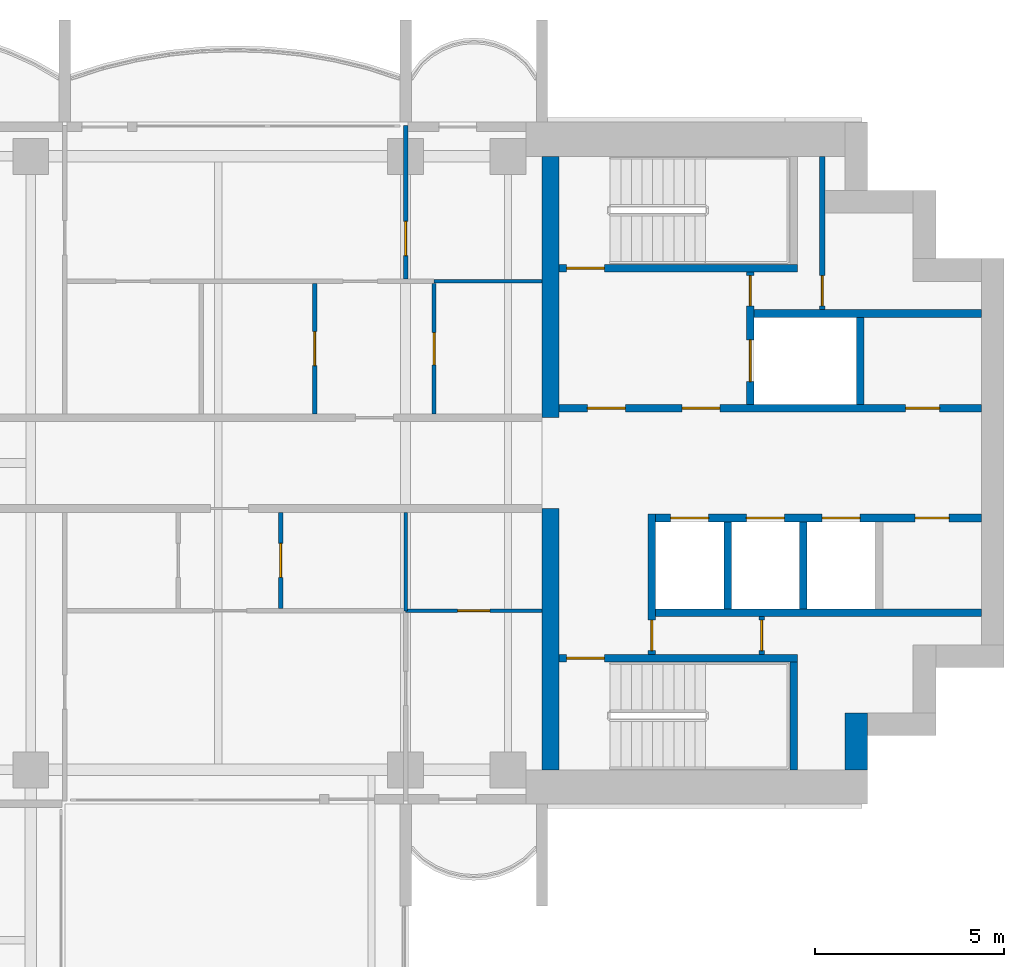
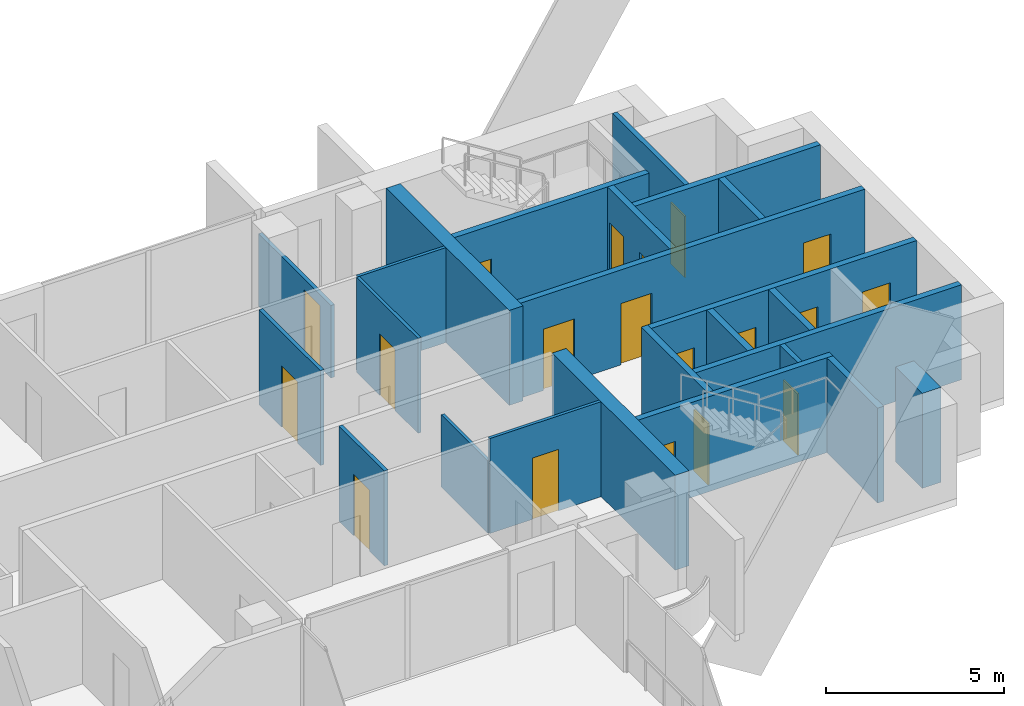
# One storey, part 12 of 17: 24 walls, 19 doors, 19 openings.
"""IFC4 building model written with IfcOpenShell, lengths in metres."""

import ifcopenshell
import ifcopenshell.guid

model = None  # the IFC model being written
_history = None  # IfcOwnerHistory: only IFC2X3 demands one
_inside = {}  # id of a spatial element -> (the spatial element, [elements in it])
_under = {}  # id of a project, library or spatial element -> (it, [spatial elements below it])
_declared = {}  # id of a project -> (the project, [libraries it declares])
_typed = {}  # id of a type object -> (the type object, [elements of that type])
_made_of = {}  # id of a material, layer set ... -> (it, [elements and type objects made of it])


def new_model(schema):
    """Start an empty IFC model of exactly this schema.

    Asked for "IFC4X3", IfcOpenShell would pick the latest addendum, in which some entities
    have other attributes; the version numbers below select the first issue.
    IFC2X3 requires an IfcOwnerHistory on every rooted entity: one is made here for all.
    """
    global model, _history
    if schema == "IFC4X3":
        model = ifcopenshell.file(schema_version=(4, 3, 0, 0))
    else:
        model = ifcopenshell.file(schema=schema)
    _inside.clear()
    _under.clear()
    _declared.clear()
    _typed.clear()
    _made_of.clear()
    _history = None
    if model.schema == "IFC2X3":
        org = make("IfcOrganization", Name="unknown")
        user = make(
            "IfcPersonAndOrganization",
            ThePerson=make("IfcPerson", FamilyName="unknown"),
            TheOrganization=org,
        )
        app = make(
            "IfcApplication",
            ApplicationDeveloper=org,
            Version="unknown",
            ApplicationFullName="unknown",
            ApplicationIdentifier="unknown",
        )
        _history = make(
            "IfcOwnerHistory",
            OwningUser=user,
            OwningApplication=app,
            ChangeAction="ADDED",
            CreationDate=0,
        )
    return model


def make(cls, **values):
    """One entity of the class cls with the attributes given. An attribute that is None is left unset."""
    return model.create_entity(
        cls, **{name: value for name, value in values.items() if value is not None}
    )


def rooted(cls, **values):
    """An entity with a GlobalId (a new one), such as an element, a storey or a relation."""
    return make(cls, GlobalId=ifcopenshell.guid.new(), OwnerHistory=_history, **values)


def si_unit(unit_type, name, prefix=None):
    """IfcSIUnit, for example si_unit("LENGTHUNIT", "METRE", prefix="MILLI")."""
    return make("IfcSIUnit", UnitType=unit_type, Prefix=prefix, Name=name)


def assignment(units):
    """IfcUnitAssignment: the units of a project."""
    return None if units is None else make("IfcUnitAssignment", Units=units)


def point(xyz):
    """IfcCartesianPoint."""
    return None if xyz is None else make("IfcCartesianPoint", Coordinates=xyz)


def direction(xyz):
    """IfcDirection."""
    return None if xyz is None else make("IfcDirection", DirectionRatios=xyz)


def frame(location, z_axis=None, x_axis=None):
    """IfcAxis2Placement3D, a coordinate frame: its origin and axes. An axis left out is left unset."""
    return make(
        "IfcAxis2Placement3D",
        Location=point(location),
        Axis=direction(z_axis),
        RefDirection=direction(x_axis),
    )


def frame_2d(location, x_axis=None):
    """IfcAxis2Placement2D, a coordinate frame in the plane: its origin and x axis."""
    return make(
        "IfcAxis2Placement2D", Location=point(location), RefDirection=direction(x_axis)
    )


def origin():
    """The frame at (0, 0, 0) with its axes left unset."""
    return frame((0.0, 0.0, 0.0))


def place(relative_to, where):
    """IfcLocalPlacement: puts the frame where relative to a parent placement (None: the world)."""
    return make(
        "IfcLocalPlacement", PlacementRelTo=relative_to, RelativePlacement=where
    )


def context(
    kind, dimensions, precision=None, world=None, true_north=None, identifier=None
):
    """IfcGeometricRepresentationContext, for example the 3D "Model" context."""
    return make(
        "IfcGeometricRepresentationContext",
        ContextIdentifier=identifier,
        ContextType=kind,
        CoordinateSpaceDimension=dimensions,
        Precision=precision,
        WorldCoordinateSystem=world,
        TrueNorth=true_north,
    )


def subcontext(parent, identifier, kind, view, scale=None):
    """IfcGeometricRepresentationSubContext, for example "Body" below "Model"."""
    return make(
        "IfcGeometricRepresentationSubContext",
        ContextIdentifier=identifier,
        ContextType=kind,
        ParentContext=parent,
        TargetScale=scale,
        TargetView=view,
    )


def project(units=None, contexts=None):
    """IfcProject with its units and contexts."""
    return rooted(
        "IfcProject",
        Name="project",
        RepresentationContexts=contexts,
        UnitsInContext=assignment(units),
    )


def spatial(cls, under=None, at=None, **own):
    """A site, building, storey or space (cls), placed at a placement, below another one or the project."""
    s = rooted(cls, ObjectPlacement=at, **own)
    if under is not None:
        _under.setdefault(under.id(), (under, []))[1].append(s)
    return s


def profile(cls, at=None, kind="AREA", **sizes):
    """A parametric profile (cls). Its sizes go by their IFC names, for example OverallWidth=200.0."""
    return make(cls, ProfileType=kind, Position=at, **sizes)


def rectangle(**sizes):
    """IfcRectangleProfileDef."""
    return profile("IfcRectangleProfileDef", **sizes)


def extrude(swept, where, along, depth):
    """IfcExtrudedAreaSolid: the profile swept, set in the frame where, extruded along a direction by depth."""
    return make(
        "IfcExtrudedAreaSolid",
        SweptArea=swept,
        Position=where,
        ExtrudedDirection=direction(along),
        Depth=depth,
    )


def shape(context_of_items, identifier, shape_type, items):
    """IfcShapeRepresentation: the items that make up one representation, for example the "Body"."""
    return make(
        "IfcShapeRepresentation",
        ContextOfItems=context_of_items,
        RepresentationIdentifier=identifier,
        RepresentationType=shape_type,
        Items=items,
    )


def material(Name=None, Category=None):
    """IfcMaterial."""
    return make("IfcMaterial", Name=Name, Category=Category)


def layer(
    of_material, thickness, ventilated=None, Name=None, Category=None, Priority=None
):
    """IfcMaterialLayer: one layer of a wall or slab, of a material (None: an air gap)."""
    return make(
        "IfcMaterialLayer",
        Material=of_material,
        LayerThickness=thickness,
        IsVentilated=ventilated,
        Name=Name,
        Category=Category,
        Priority=Priority,
    )


def layer_set(layers, Name=None):
    """IfcMaterialLayerSet."""
    return make("IfcMaterialLayerSet", MaterialLayers=layers, LayerSetName=Name)


def made_of(thing, what):
    """Note that an element or type object is made of a material, layer set ...; save() writes the relation."""
    if what is not None:
        _made_of.setdefault(what.id(), (what, []))[1].append(thing)
    return thing


def type_object(cls, material=None, **own):
    """A type object (cls), such as IfcWallType, which elements share."""
    return made_of(rooted(cls, **own), material)


def element(
    cls,
    number,
    at=None,
    inside=None,
    cuts=None,
    type_object=None,
    material=None,
    context=None,
    identifier="Body",
    shape_type=None,
    held_by="IfcProductDefinitionShape",
    body=None,
    shapes=None,
    **own,
):
    """One element of the class cls, such as IfcWall. Its Tag is "e" and its number.

    at: its placement. inside: the storey or other place that contains it. cuts: it is an
    opening in that element (IfcRelVoidsElement). A single representation is given by context,
    identifier, shape_type and body (its items); several are given by shapes. held_by: the class
    of the entity that holds the representations. save() writes the other relations.
    """
    e = rooted(cls, Tag="e%d" % number, ObjectPlacement=at, **own)
    if body is not None:
        shapes = [shape(context, identifier, shape_type, body)]
    if shapes is not None:
        e.Representation = make(held_by, Representations=shapes)
    if inside is not None:
        _inside.setdefault(inside.id(), (inside, []))[1].append(e)
    if cuts is not None:
        rooted(
            "IfcRelVoidsElement", RelatingBuildingElement=cuts, RelatedOpeningElement=e
        )
    if type_object is not None:
        _typed.setdefault(type_object.id(), (type_object, []))[1].append(e)
    return made_of(e, material)


def fill(opening, filler):
    """IfcRelFillsElement: the door or window that sits in an opening."""
    return rooted(
        "IfcRelFillsElement",
        RelatingOpeningElement=opening,
        RelatedBuildingElement=filler,
    )


def aggregate(whole, parts):
    """IfcRelAggregates: a whole, such as a stair, and the parts it consists of."""
    return rooted("IfcRelAggregates", RelatingObject=whole, RelatedObjects=parts)


def save(model, path):
    """Write the relations noted so far, then the file.

    IfcRelAggregates (storeys below a building ...), IfcRelContainedInSpatialStructure (elements
    in a storey), IfcRelDefinesByType, IfcRelAssociatesMaterial and IfcRelDeclares: one each for
    every whole, place, type object, material and project.
    """
    for whole, parts in _under.values():
        aggregate(whole, parts)
    for where, things in _inside.values():
        rooted(
            "IfcRelContainedInSpatialStructure",
            RelatedElements=things,
            RelatingStructure=where,
        )
    for kind, things in _typed.values():
        rooted("IfcRelDefinesByType", RelatedObjects=things, RelatingType=kind)
    for what, things in _made_of.values():
        rooted("IfcRelAssociatesMaterial", RelatedObjects=things, RelatingMaterial=what)
    for by, libraries in _declared.values():
        rooted("IfcRelDeclares", RelatingContext=by, RelatedDefinitions=libraries)
    model.write(path)


model = new_model("IFC4")

# Units and contexts
model_context = context("Model", 3, precision=1e-05, world=origin(), true_north=direction((0.0, 1.0)))
body_context = subcontext(model_context, "Body", "Model", "MODEL_VIEW")
ifc_project = project(units=[si_unit("LENGTHUNIT", "METRE"), si_unit("AREAUNIT", "SQUARE_METRE"), si_unit("VOLUMEUNIT", "CUBIC_METRE"), si_unit("PLANEANGLEUNIT", "RADIAN"), si_unit("MASSUNIT", "GRAM", prefix="KILO")], contexts=[model_context])

# Site, building, storey
site_placement = place(None, origin())
site = spatial("IfcSite", under=ifc_project, at=site_placement, CompositionType="ELEMENT")
building_placement = place(site_placement, origin())
building = spatial("IfcBuilding", under=site, at=building_placement, Name="Perihelion Cross Residences", CompositionType="ELEMENT")
storey_placement = place(building_placement, frame((0.0, 0.0, 198.10009765625)))
storey = spatial("IfcBuildingStorey", under=building, at=storey_placement, Name="L49", CompositionType="ELEMENT", Elevation=198.10009765625)

# Walls
ifc_material_1 = material(Name="Concrete C60/75", Category="concrete")
ifc_layer_1 = layer(ifc_material_1, 0.449951171875)
ifc_layer_set_1 = layer_set([ifc_layer_1], Name="Core wall, inner 450")
wall_type_1 = type_object("IfcWallType", Name="Core wall, inner 450", PredefinedType="SHEAR", material=ifc_layer_set_1)
for number, where, z_axis, x_axis, name in (
    (1, (21.824951171875, -8.10009765625, 0.0), (0.0, 0.0, 1.0), (0.0, 1.0, 0.0), "East core core wall, inner"),
    (2, (21.824951171875, 1.199951171875, 0.0), (0.0, 0.0, 1.0), (0.0, 1.0, 0.0), "East core core wall, inner"),
):
    element("IfcWall", number, at=place(storey_placement, frame(where, z_axis=z_axis, x_axis=x_axis)), inside=storey, type_object=wall_type_1, Name=name, PredefinedType="SHEAR", context=body_context, shape_type="SweptSolid", body=[
        extrude(rectangle(XDim=6.900146484375, YDim=0.449951171875, at=frame_2d((3.4501953125, 0.0))), origin(), (0.0, 0.0, 1.0), 3.25),
    ])
ifc_material_2 = material(Name="Concrete C60/75", Category="concrete")
ifc_layer_2 = layer(ifc_material_2, 0.60009765625)
ifc_layer_set_2 = layer_set([ifc_layer_2], Name="Core wall, outer 600")
wall_type_2 = type_object("IfcWallType", Name="Core wall, outer 600", PredefinedType="SHEAR", material=ifc_layer_set_2)
wall_1_placement = place(storey_placement, frame((29.89990234375, -8.10009765625, 0.0), z_axis=(0.0, 0.0, 1.0), x_axis=(0.0, 1.0, 0.0)))
element("IfcWall", 3, at=wall_1_placement, inside=storey, type_object=wall_type_2, Name="East core core wall, outer", PredefinedType="SHEAR", context=body_context, shape_type="SweptSolid", body=[
    extrude(rectangle(XDim=1.5, YDim=0.60009765625, at=frame_2d((0.75, 0.0))), origin(), (0.0, 0.0, 1.0), 3.25),
])

# Wall, opening, door
ifc_material_3 = material(Name="Concrete C50/60", Category="concrete")
ifc_layer_3 = layer(ifc_material_3, 0.199951171875)
ifc_layer_set_3 = layer_set([ifc_layer_3], Name="Lobby wall 200")
wall_type_3 = type_object("IfcWallType", Name="Lobby wall 200", PredefinedType="SOLIDWALL", material=ifc_layer_set_3)
wall_2_placement = place(storey_placement, frame((24.5, -5.050048828125, 0.0), z_axis=(0.0, 0.0, 1.0), x_axis=(0.0, 1.0, 0.0)))
wall_2 = element("IfcWall", 4, at=wall_2_placement, inside=storey, type_object=wall_type_3, Name="East core lobby wall", PredefinedType="SOLIDWALL", context=body_context, shape_type="SweptSolid", body=[
    extrude(rectangle(XDim=3.699951171875, YDim=0.199951171875, at=frame_2d((1.85009765625, 0.0))), origin(), (0.0, 0.0, 1.0), 3.25),
])
opening_1_placement = place(wall_2_placement, frame((0.10009765625, 0.0, 0.0)))
opening_1 = element("IfcOpeningElement", 5, at=opening_1_placement, cuts=wall_2, Name="Opening L49.C08", PredefinedType="OPENING", context=body_context, shape_type="SweptSolid", body=[
    extrude(rectangle(XDim=0.800048828125, YDim=2.10009765625, at=frame_2d((0.39990234375, 1.050048828125))), frame((0.0, 0.10986328125, 0.0), z_axis=(0.0, -1.0, 0.0), x_axis=(1.0, 0.0, 0.0)), (0.0, 0.0, 1.0), 0.219970703125),
])
ifc_material_4 = material(Name="Steel, powder coated", Category="steel")
door_type_1 = type_object("IfcDoorType", Name="Riser door 800", OperationType="SINGLE_SWING_LEFT", PredefinedType="DOOR", material=ifc_material_4)
door_1_placement = place(opening_1_placement, origin())
door_1 = element("IfcDoor", 6, at=door_1_placement, inside=storey, type_object=door_type_1, Name="East core riser door", OperationType="SINGLE_SWING_LEFT", OverallHeight=2.10009765625, OverallWidth=0.800048828125, PredefinedType="DOOR", context=body_context, shape_type="SweptSolid", body=[
    extrude(rectangle(XDim=0.800048828125, YDim=2.10009765625, at=frame_2d((0.39990234375, 1.050048828125))), frame((0.0, 0.02490234375, 0.0), z_axis=(0.0, -1.0, 0.0), x_axis=(1.0, 0.0, 0.0)), (0.0, 0.0, 1.0), 0.050048828125),
])
fill(opening_1, door_1)

ifc_material_5 = material(Name="Plasterboard partition")
ifc_layer_4 = layer(ifc_material_5, 0.1201171875)
ifc_layer_set_4 = layer_set([ifc_layer_4], Name="Partition wall 120")
wall_type_4 = type_object("IfcWallType", Name="Partition wall 120", PredefinedType="PARTITIONING", material=ifc_layer_set_4)
wall_3_placement = place(storey_placement, frame((15.60009765625, 4.739990234375, 0.0), z_axis=(0.0, 0.0, 1.0), x_axis=(0.0, -1.0, 0.0)))
wall_3 = element("IfcWall", 7, at=wall_3_placement, inside=storey, type_object=wall_type_4, Name="Partition L49 W025", PredefinedType="PARTITIONING", context=body_context, shape_type="SweptSolid", body=[
    extrude(rectangle(XDim=3.43994140625, YDim=0.1201171875, at=frame_2d((1.719970703125, 0.0))), origin(), (0.0, 0.0, 1.0), 3.25),
])
opening_2_placement = place(wall_3_placement, frame((1.27001953125, 0.0, 0.0)))
opening_2 = element("IfcOpeningElement", 8, at=opening_2_placement, cuts=wall_3, Name="Opening L49.A08", PredefinedType="OPENING", context=body_context, shape_type="SweptSolid", body=[
    extrude(rectangle(XDim=0.89990234375, YDim=2.10009765625, at=frame_2d((0.449951171875, 1.050048828125))), frame((0.0, 0.070068359375, 0.0), z_axis=(0.0, -1.0, 0.0), x_axis=(1.0, 0.0, 0.0)), (0.0, 0.0, 1.0), 0.14013671875),
])
ifc_material_6 = material(Name="Timber door leaf", Category="wood")
door_type_2 = type_object("IfcDoorType", Name="Interior room door 900 x 2100", OperationType="SINGLE_SWING_LEFT", PredefinedType="DOOR", material=ifc_material_6)
door_2_placement = place(opening_2_placement, origin())
door_2 = element("IfcDoor", 9, at=door_2_placement, inside=storey, type_object=door_type_2, Name="Door L49.A08", OperationType="SINGLE_SWING_RIGHT", OverallHeight=2.10009765625, OverallWidth=0.89990234375, PredefinedType="DOOR", context=body_context, shape_type="SweptSolid", body=[
    extrude(rectangle(XDim=0.89990234375, YDim=2.10009765625, at=frame_2d((0.449951171875, 1.050048828125))), frame((0.0, 0.02490234375, 0.0), z_axis=(0.0, -1.0, 0.0), x_axis=(1.0, 0.0, 0.0)), (0.0, 0.0, 1.0), 0.050048828125),
])
fill(opening_2, door_2)

wall_4_placement = place(storey_placement, frame((18.0, 8.919921875, 0.0), z_axis=(0.0, 0.0, 1.0), x_axis=(0.0, -1.0, 0.0)))
wall_4 = element("IfcWall", 10, at=wall_4_placement, inside=storey, type_object=wall_type_4, Name="Partition L49 W028", PredefinedType="PARTITIONING", context=body_context, shape_type="SweptSolid", body=[
    extrude(rectangle(XDim=4.059814453125, YDim=0.1201171875, at=frame_2d((2.02978515625, 0.0))), origin(), (0.0, 0.0, 1.0), 2.47998046875),
])
opening_3_placement = place(wall_4_placement, frame((2.5400390625, 0.0, 0.0)))
opening_3 = element("IfcOpeningElement", 11, at=opening_3_placement, cuts=wall_4, Name="Opening L49.A02", PredefinedType="OPENING", context=body_context, shape_type="SweptSolid", body=[
    extrude(rectangle(XDim=0.89990234375, YDim=2.10009765625, at=frame_2d((0.449951171875, 1.050048828125))), frame((0.0, 0.070068359375, 0.0), z_axis=(0.0, -1.0, 0.0), x_axis=(1.0, 0.0, 0.0)), (0.0, 0.0, 1.0), 0.14013671875),
])
door_3_placement = place(opening_3_placement, origin())
door_3 = element("IfcDoor", 12, at=door_3_placement, inside=storey, type_object=door_type_2, Name="Door L49.A02", OperationType="SINGLE_SWING_LEFT", OverallHeight=2.10009765625, OverallWidth=0.89990234375, PredefinedType="DOOR", context=body_context, shape_type="SweptSolid", body=[
    extrude(rectangle(XDim=0.89990234375, YDim=2.10009765625, at=frame_2d((0.449951171875, 1.050048828125))), frame((0.0, 0.02490234375, 0.0), z_axis=(0.0, -1.0, 0.0), x_axis=(1.0, 0.0, 0.0)), (0.0, 0.0, 1.0), 0.050048828125),
])
fill(opening_3, door_3)

wall_5_placement = place(storey_placement, frame((14.699951171875, -1.300048828125, 0.0), z_axis=(0.0, 0.0, 1.0), x_axis=(0.0, -1.0, 0.0)))
wall_5 = element("IfcWall", 13, at=wall_5_placement, inside=storey, type_object=wall_type_4, Name="Partition L49 W033", PredefinedType="PARTITIONING", context=body_context, shape_type="SweptSolid", body=[
    extrude(rectangle(XDim=2.5400390625, YDim=0.1201171875, at=frame_2d((1.27001953125, 0.0))), origin(), (0.0, 0.0, 1.0), 3.25),
])
opening_4_placement = place(wall_5_placement, frame((0.820068359375, 0.0, 0.0)))
opening_4 = element("IfcOpeningElement", 14, at=opening_4_placement, cuts=wall_5, Name="Opening L49.A14", PredefinedType="OPENING", context=body_context, shape_type="SweptSolid", body=[
    extrude(rectangle(XDim=0.89990234375, YDim=2.10009765625, at=frame_2d((0.449951171875, 1.050048828125))), frame((0.0, 0.070068359375, 0.0), z_axis=(0.0, -1.0, 0.0), x_axis=(1.0, 0.0, 0.0)), (0.0, 0.0, 1.0), 0.14013671875),
])
door_4_placement = place(opening_4_placement, origin())
door_4 = element("IfcDoor", 15, at=door_4_placement, inside=storey, type_object=door_type_2, Name="Door L49.A14", OperationType="SINGLE_SWING_RIGHT", OverallHeight=2.10009765625, OverallWidth=0.89990234375, PredefinedType="DOOR", context=body_context, shape_type="SweptSolid", body=[
    extrude(rectangle(XDim=0.89990234375, YDim=2.10009765625, at=frame_2d((0.449951171875, 1.050048828125))), frame((0.0, 0.02490234375, 0.0), z_axis=(0.0, -1.0, 0.0), x_axis=(1.0, 0.0, 0.0)), (0.0, 0.0, 1.0), 0.050048828125),
])
fill(opening_4, door_4)

ifc_material_7 = material(Name="Fire-rated board on steel stud", Category="steel")
ifc_layer_5 = layer(ifc_material_7, 0.14990234375)
ifc_layer_set_5 = layer_set([ifc_layer_5], Name="Riser wall 150")
wall_type_5 = type_object("IfcWallType", Name="Riser wall 150", PredefinedType="PARTITIONING", material=ifc_layer_set_5)
wall_6_placement = place(storey_placement, frame((29.0, 4.050048828125, 0.0), z_axis=(0.0, 0.0, 1.0), x_axis=(0.0, 1.0, 0.0)))
wall_6 = element("IfcWall", 16, at=wall_6_placement, inside=storey, type_object=wall_type_5, Name="East core riser wall", PredefinedType="PARTITIONING", context=body_context, shape_type="SweptSolid", body=[
    extrude(rectangle(XDim=4.050048828125, YDim=0.14990234375, at=frame_2d((2.02490234375, 0.0))), origin(), (0.0, 0.0, 1.0), 3.25),
])
opening_5_placement = place(wall_6_placement, frame((0.10009765625, 0.0, 0.0)))
opening_5 = element("IfcOpeningElement", 17, at=opening_5_placement, cuts=wall_6, Name="Opening L49.C12", PredefinedType="OPENING", context=body_context, shape_type="SweptSolid", body=[
    extrude(rectangle(XDim=0.800048828125, YDim=2.10009765625, at=frame_2d((0.39990234375, 1.050048828125))), frame((0.0, 0.0849609375, 0.0), z_axis=(0.0, -1.0, 0.0), x_axis=(1.0, 0.0, 0.0)), (0.0, 0.0, 1.0), 0.169921875),
])
door_5_placement = place(opening_5_placement, origin())
door_5 = element("IfcDoor", 18, at=door_5_placement, inside=storey, type_object=door_type_1, Name="East core riser door", OperationType="SINGLE_SWING_LEFT", OverallHeight=2.10009765625, OverallWidth=0.800048828125, PredefinedType="DOOR", context=body_context, shape_type="SweptSolid", body=[
    extrude(rectangle(XDim=0.800048828125, YDim=2.10009765625, at=frame_2d((0.39990234375, 1.050048828125))), frame((0.0, 0.02490234375, 0.0), z_axis=(0.0, -1.0, 0.0), x_axis=(1.0, 0.0, 0.0)), (0.0, 0.0, 1.0), 0.050048828125),
])
fill(opening_5, door_5)

wall_7_placement = place(storey_placement, frame((27.39990234375, -5.050048828125, 0.0), z_axis=(0.0, 0.0, 1.0), x_axis=(0.0, 1.0, 0.0)))
wall_7 = element("IfcWall", 19, at=wall_7_placement, inside=storey, type_object=wall_type_5, Name="East core riser wall", PredefinedType="PARTITIONING", context=body_context, shape_type="SweptSolid", body=[
    extrude(rectangle(XDim=1.0, YDim=0.14990234375, at=frame_2d((0.5, 0.0))), origin(), (0.0, 0.0, 1.0), 3.25),
])
opening_6_placement = place(wall_7_placement, frame((0.10009765625, 0.0, 0.0)))
opening_6 = element("IfcOpeningElement", 20, at=opening_6_placement, cuts=wall_7, Name="Opening L49.C11", PredefinedType="OPENING", context=body_context, shape_type="SweptSolid", body=[
    extrude(rectangle(XDim=0.800048828125, YDim=2.10009765625, at=frame_2d((0.39990234375, 1.050048828125))), frame((0.0, 0.0849609375, 0.0), z_axis=(0.0, -1.0, 0.0), x_axis=(1.0, 0.0, 0.0)), (0.0, 0.0, 1.0), 0.169921875),
])
door_6_placement = place(opening_6_placement, origin())
door_6 = element("IfcDoor", 21, at=door_6_placement, inside=storey, type_object=door_type_1, Name="East core riser door", OperationType="SINGLE_SWING_LEFT", OverallHeight=2.10009765625, OverallWidth=0.800048828125, PredefinedType="DOOR", context=body_context, shape_type="SweptSolid", body=[
    extrude(rectangle(XDim=0.800048828125, YDim=2.10009765625, at=frame_2d((0.39990234375, 1.050048828125))), frame((0.0, 0.02490234375, 0.0), z_axis=(0.0, -1.0, 0.0), x_axis=(1.0, 0.0, 0.0)), (0.0, 0.0, 1.0), 0.050048828125),
])
fill(opening_6, door_6)

# Wall, openings, doors
ifc_material_8 = material(Name="Concrete C50/60", Category="concrete")
ifc_layer_6 = layer(ifc_material_8, 0.199951171875)
ifc_layer_set_6 = layer_set([ifc_layer_6], Name="Shaft wall 200")
wall_type_6 = type_object("IfcWallType", Name="Shaft wall 200", PredefinedType="SOLIDWALL", material=ifc_layer_set_6)
wall_8_placement = place(storey_placement, frame((22.050048828125, 1.449951171875, 0.0), z_axis=(0.0, 0.0, 1.0), x_axis=(1.0, 0.0, 0.0)))
wall_8 = element("IfcWall", 22, at=wall_8_placement, inside=storey, type_object=wall_type_6, Name="East core shaft wall", PredefinedType="SOLIDWALL", context=body_context, shape_type="SweptSolid", body=[
    extrude(rectangle(XDim=11.14990234375, YDim=0.199951171875, at=frame_2d((5.574951171875, 0.0))), origin(), (0.0, 0.0, 1.0), 3.25),
])
opening_7_placement = place(wall_8_placement, frame((0.75, 0.0, 0.0)))
opening_7 = element("IfcOpeningElement", 23, at=opening_7_placement, cuts=wall_8, Name="Opening L49.C07", PredefinedType="OPENING", context=body_context, shape_type="SweptSolid", body=[
    extrude(rectangle(XDim=1.0, YDim=2.10009765625, at=frame_2d((0.5, 1.050048828125))), frame((0.0, 0.10986328125, 0.0), z_axis=(0.0, -1.0, 0.0), x_axis=(1.0, 0.0, 0.0)), (0.0, 0.0, 1.0), 0.219970703125),
])
opening_8_placement = place(wall_8_placement, frame((3.25, 0.0, 0.0)))
opening_8 = element("IfcOpeningElement", 24, at=opening_8_placement, cuts=wall_8, Name="Opening L49.C09", PredefinedType="OPENING", context=body_context, shape_type="SweptSolid", body=[
    extrude(rectangle(XDim=1.0, YDim=2.10009765625, at=frame_2d((0.5, 1.050048828125))), frame((0.0, 0.10986328125, 0.0), z_axis=(0.0, -1.0, 0.0), x_axis=(1.0, 0.0, 0.0)), (0.0, 0.0, 1.0), 0.219970703125),
])
opening_9_placement = place(wall_8_placement, frame((9.14990234375, 0.0, 0.0)))
opening_9 = element("IfcOpeningElement", 25, at=opening_9_placement, cuts=wall_8, Name="Opening L49.C13", PredefinedType="OPENING", context=body_context, shape_type="SweptSolid", body=[
    extrude(rectangle(XDim=0.89990234375, YDim=2.10009765625, at=frame_2d((0.449951171875, 1.050048828125))), frame((0.0, 0.10986328125, 0.0), z_axis=(0.0, -1.0, 0.0), x_axis=(1.0, 0.0, 0.0)), (0.0, 0.0, 1.0), 0.219970703125),
])
ifc_material_9 = material(Name="Steel, powder coated", Category="steel")
door_type_3 = type_object("IfcDoorType", Name="Lobby door 1000", OperationType="SINGLE_SWING_LEFT", PredefinedType="DOOR", material=ifc_material_9)
door_7_placement = place(opening_7_placement, origin())
door_7 = element("IfcDoor", 26, at=door_7_placement, inside=storey, type_object=door_type_3, Name="East core firefighting lobby door", OperationType="SINGLE_SWING_LEFT", OverallHeight=2.10009765625, OverallWidth=1.0, PredefinedType="DOOR", context=body_context, shape_type="SweptSolid", body=[
    extrude(rectangle(XDim=1.0, YDim=2.10009765625, at=frame_2d((0.5, 1.050048828125))), frame((0.0, 0.02490234375, 0.0), z_axis=(0.0, -1.0, 0.0), x_axis=(1.0, 0.0, 0.0)), (0.0, 0.0, 1.0), 0.050048828125),
])
fill(opening_7, door_7)
door_8_placement = place(opening_8_placement, origin())
door_8 = element("IfcDoor", 27, at=door_8_placement, inside=storey, type_object=door_type_3, Name="East core firefighting lobby door", OperationType="SINGLE_SWING_LEFT", OverallHeight=2.10009765625, OverallWidth=1.0, PredefinedType="DOOR", context=body_context, shape_type="SweptSolid", body=[
    extrude(rectangle(XDim=1.0, YDim=2.10009765625, at=frame_2d((0.5, 1.050048828125))), frame((0.0, 0.02490234375, 0.0), z_axis=(0.0, -1.0, 0.0), x_axis=(1.0, 0.0, 0.0)), (0.0, 0.0, 1.0), 0.050048828125),
])
fill(opening_8, door_8)
ifc_material_10 = material(Name="Steel, powder coated", Category="steel")
door_type_4 = type_object("IfcDoorType", Name="Service room door 900", OperationType="SINGLE_SWING_LEFT", PredefinedType="DOOR", material=ifc_material_10)
door_9_placement = place(opening_9_placement, origin())
door_9 = element("IfcDoor", 28, at=door_9_placement, inside=storey, type_object=door_type_4, Name="East core service room door", OperationType="SINGLE_SWING_LEFT", OverallHeight=2.10009765625, OverallWidth=0.89990234375, PredefinedType="DOOR", context=body_context, shape_type="SweptSolid", body=[
    extrude(rectangle(XDim=0.89990234375, YDim=2.10009765625, at=frame_2d((0.449951171875, 1.050048828125))), frame((0.0, 0.02490234375, 0.0), z_axis=(0.0, -1.0, 0.0), x_axis=(1.0, 0.0, 0.0)), (0.0, 0.0, 1.0), 0.050048828125),
])
fill(opening_9, door_9)

wall_9_placement = place(storey_placement, frame((24.60009765625, -1.449951171875, 0.0), z_axis=(0.0, 0.0, 1.0), x_axis=(1.0, 0.0, 0.0)))
wall_9 = element("IfcWall", 29, at=wall_9_placement, inside=storey, type_object=wall_type_6, Name="East core shaft wall", PredefinedType="SOLIDWALL", context=body_context, shape_type="SweptSolid", body=[
    extrude(rectangle(XDim=8.599853515625, YDim=0.199951171875, at=frame_2d((4.2998046875, 0.0))), origin(), (0.0, 0.0, 1.0), 3.25),
])
opening_10_placement = place(wall_9_placement, frame((0.39990234375, 0.0, 0.0)))
opening_10 = element("IfcOpeningElement", 30, at=opening_10_placement, cuts=wall_9, Name="Opening L49.C01", PredefinedType="OPENING", context=body_context, shape_type="SweptSolid", body=[
    extrude(rectangle(XDim=1.0, YDim=2.10009765625, at=frame_2d((0.5, 1.050048828125))), frame((0.0, 0.10986328125, 0.0), z_axis=(0.0, -1.0, 0.0), x_axis=(1.0, 0.0, 0.0)), (0.0, 0.0, 1.0), 0.219970703125),
])
opening_11_placement = place(wall_9_placement, frame((2.39990234375, 0.0, 0.0)))
opening_11 = element("IfcOpeningElement", 31, at=opening_11_placement, cuts=wall_9, Name="Opening L49.C03", PredefinedType="OPENING", context=body_context, shape_type="SweptSolid", body=[
    extrude(rectangle(XDim=1.0, YDim=2.10009765625, at=frame_2d((0.5, 1.050048828125))), frame((0.0, 0.10986328125, 0.0), z_axis=(0.0, -1.0, 0.0), x_axis=(1.0, 0.0, 0.0)), (0.0, 0.0, 1.0), 0.219970703125),
])
opening_12_placement = place(wall_9_placement, frame((4.39990234375, 0.0, 0.0)))
opening_12 = element("IfcOpeningElement", 32, at=opening_12_placement, cuts=wall_9, Name="Opening L49.C04", PredefinedType="OPENING", context=body_context, shape_type="SweptSolid", body=[
    extrude(rectangle(XDim=1.0, YDim=2.10009765625, at=frame_2d((0.5, 1.050048828125))), frame((0.0, 0.10986328125, 0.0), z_axis=(0.0, -1.0, 0.0), x_axis=(1.0, 0.0, 0.0)), (0.0, 0.0, 1.0), 0.219970703125),
])
opening_13_placement = place(wall_9_placement, frame((6.85009765625, 0.0, 0.0)))
opening_13 = element("IfcOpeningElement", 33, at=opening_13_placement, cuts=wall_9, Name="Opening L49.C14", PredefinedType="OPENING", context=body_context, shape_type="SweptSolid", body=[
    extrude(rectangle(XDim=0.89990234375, YDim=2.10009765625, at=frame_2d((0.449951171875, 1.050048828125))), frame((0.0, 0.10986328125, 0.0), z_axis=(0.0, -1.0, 0.0), x_axis=(1.0, 0.0, 0.0)), (0.0, 0.0, 1.0), 0.219970703125),
])
ifc_material_11 = material(Name="Stainless steel", Category="steel")
door_type_5 = type_object("IfcDoorType", Name="Landing door 1000", OperationType="DOUBLE_DOOR_SLIDING", PredefinedType="DOOR", material=ifc_material_11)
door_10_placement = place(opening_10_placement, origin())
door_10 = element("IfcDoor", 34, at=door_10_placement, inside=storey, type_object=door_type_5, Name="Landing door, East core high-rise lift 1", OperationType="DOUBLE_DOOR_SLIDING", OverallHeight=2.10009765625, OverallWidth=1.0, PredefinedType="DOOR", context=body_context, shape_type="SweptSolid", body=[
    extrude(rectangle(XDim=1.0, YDim=2.10009765625, at=frame_2d((0.5, 1.050048828125))), frame((0.0, 0.02490234375, 0.0), z_axis=(0.0, -1.0, 0.0), x_axis=(1.0, 0.0, 0.0)), (0.0, 0.0, 1.0), 0.050048828125),
])
fill(opening_10, door_10)
door_11_placement = place(opening_11_placement, origin())
door_11 = element("IfcDoor", 35, at=door_11_placement, inside=storey, type_object=door_type_5, Name="Landing door, East core high-rise lift 2", OperationType="DOUBLE_DOOR_SLIDING", OverallHeight=2.10009765625, OverallWidth=1.0, PredefinedType="DOOR", context=body_context, shape_type="SweptSolid", body=[
    extrude(rectangle(XDim=1.0, YDim=2.10009765625, at=frame_2d((0.5, 1.050048828125))), frame((0.0, 0.02490234375, 0.0), z_axis=(0.0, -1.0, 0.0), x_axis=(1.0, 0.0, 0.0)), (0.0, 0.0, 1.0), 0.050048828125),
])
fill(opening_11, door_11)
door_12_placement = place(opening_12_placement, origin())
door_12 = element("IfcDoor", 36, at=door_12_placement, inside=storey, type_object=door_type_5, Name="Landing door, East core high-rise lift 3", OperationType="DOUBLE_DOOR_SLIDING", OverallHeight=2.10009765625, OverallWidth=1.0, PredefinedType="DOOR", context=body_context, shape_type="SweptSolid", body=[
    extrude(rectangle(XDim=1.0, YDim=2.10009765625, at=frame_2d((0.5, 1.050048828125))), frame((0.0, 0.02490234375, 0.0), z_axis=(0.0, -1.0, 0.0), x_axis=(1.0, 0.0, 0.0)), (0.0, 0.0, 1.0), 0.050048828125),
])
fill(opening_12, door_12)
door_13_placement = place(opening_13_placement, origin())
door_13 = element("IfcDoor", 37, at=door_13_placement, inside=storey, type_object=door_type_4, Name="East core service room door", OperationType="SINGLE_SWING_LEFT", OverallHeight=2.10009765625, OverallWidth=0.89990234375, PredefinedType="DOOR", context=body_context, shape_type="SweptSolid", body=[
    extrude(rectangle(XDim=0.89990234375, YDim=2.10009765625, at=frame_2d((0.449951171875, 1.050048828125))), frame((0.0, 0.02490234375, 0.0), z_axis=(0.0, -1.0, 0.0), x_axis=(1.0, 0.0, 0.0)), (0.0, 0.0, 1.0), 0.050048828125),
])
fill(opening_13, door_13)

# Walls
wall_10_placement = place(storey_placement, frame((27.199951171875, 3.949951171875, 0.0), z_axis=(0.0, 0.0, 1.0), x_axis=(1.0, 0.0, 0.0)))
element("IfcWall", 38, at=wall_10_placement, inside=storey, type_object=wall_type_6, Name="East core shaft wall", PredefinedType="SOLIDWALL", context=body_context, shape_type="SweptSolid", body=[
    extrude(rectangle(XDim=6.0, YDim=0.199951171875, at=frame_2d((3.0, 0.0))), origin(), (0.0, 0.0, 1.0), 3.25),
])
wall_11_placement = place(storey_placement, frame((24.60009765625, -3.949951171875, 0.0), z_axis=(0.0, 0.0, 1.0), x_axis=(1.0, 0.0, 0.0)))
element("IfcWall", 39, at=wall_11_placement, inside=storey, type_object=wall_type_6, Name="East core shaft wall", PredefinedType="SOLIDWALL", context=body_context, shape_type="SweptSolid", body=[
    extrude(rectangle(XDim=8.599853515625, YDim=0.199951171875, at=frame_2d((4.2998046875, 0.0))), origin(), (0.0, 0.0, 1.0), 3.25),
])

# Wall, openings, doors
wall_12_placement = place(storey_placement, frame((27.10009765625, 1.550048828125, 0.0), z_axis=(0.0, 0.0, 1.0), x_axis=(0.0, 1.0, 0.0)))
wall_12 = element("IfcWall", 40, at=wall_12_placement, inside=storey, type_object=wall_type_6, Name="East core shaft wall", PredefinedType="SOLIDWALL", context=body_context, shape_type="SweptSolid", body=[
    extrude(rectangle(XDim=3.5, YDim=0.199951171875, at=frame_2d((1.75, 0.0))), origin(), (0.0, 0.0, 1.0), 3.25),
])
opening_14_placement = place(wall_12_placement, frame((0.60009765625, 0.0, 0.0)))
opening_14 = element("IfcOpeningElement", 41, at=opening_14_placement, cuts=wall_12, Name="Opening L49.C02", PredefinedType="OPENING", context=body_context, shape_type="SweptSolid", body=[
    extrude(rectangle(XDim=1.10009765625, YDim=2.10009765625, at=frame_2d((0.550048828125, 1.050048828125))), frame((0.0, 0.10986328125, 0.0), z_axis=(0.0, -1.0, 0.0), x_axis=(1.0, 0.0, 0.0)), (0.0, 0.0, 1.0), 0.219970703125),
])
opening_15_placement = place(wall_12_placement, frame((2.60009765625, 0.0, 0.0)))
opening_15 = element("IfcOpeningElement", 42, at=opening_15_placement, cuts=wall_12, Name="Opening L49.C10", PredefinedType="OPENING", context=body_context, shape_type="SweptSolid", body=[
    extrude(rectangle(XDim=0.800048828125, YDim=2.10009765625, at=frame_2d((0.39990234375, 1.050048828125))), frame((0.0, 0.10986328125, 0.0), z_axis=(0.0, -1.0, 0.0), x_axis=(1.0, 0.0, 0.0)), (0.0, 0.0, 1.0), 0.219970703125),
])
ifc_material_12 = material(Name="Stainless steel", Category="steel")
door_type_6 = type_object("IfcDoorType", Name="Landing door, firefighting lift 1100", OperationType="DOUBLE_DOOR_SLIDING", PredefinedType="DOOR", material=ifc_material_12)
door_14_placement = place(opening_14_placement, origin())
door_14 = element("IfcDoor", 43, at=door_14_placement, inside=storey, type_object=door_type_6, Name="Landing door, East core firefighting and service lift", OperationType="DOUBLE_DOOR_SLIDING", OverallHeight=2.10009765625, OverallWidth=1.10009765625, PredefinedType="DOOR", context=body_context, shape_type="SweptSolid", body=[
    extrude(rectangle(XDim=1.10009765625, YDim=2.10009765625, at=frame_2d((0.550048828125, 1.050048828125))), frame((0.0, 0.02490234375, 0.0), z_axis=(0.0, -1.0, 0.0), x_axis=(1.0, 0.0, 0.0)), (0.0, 0.0, 1.0), 0.050048828125),
])
fill(opening_14, door_14)
door_15_placement = place(opening_15_placement, origin())
door_15 = element("IfcDoor", 44, at=door_15_placement, inside=storey, type_object=door_type_1, Name="East core riser door", OperationType="SINGLE_SWING_LEFT", OverallHeight=2.10009765625, OverallWidth=0.800048828125, PredefinedType="DOOR", context=body_context, shape_type="SweptSolid", body=[
    extrude(rectangle(XDim=0.800048828125, YDim=2.10009765625, at=frame_2d((0.39990234375, 1.050048828125))), frame((0.0, 0.02490234375, 0.0), z_axis=(0.0, -1.0, 0.0), x_axis=(1.0, 0.0, 0.0)), (0.0, 0.0, 1.0), 0.050048828125),
])
fill(opening_15, door_15)

# Walls
for number, where, z_axis, x_axis, name in (
    (45, (30.0, 1.550048828125, 0.0), (0.0, 0.0, 1.0), (0.0, 1.0, 0.0), "East core shaft wall"),
    (46, (26.5, -3.85009765625, 0.0), (0.0, 0.0, 1.0), (0.0, 1.0, 0.0), "East core shaft wall"),
    (47, (28.5, -3.85009765625, 0.0), (0.0, 0.0, 1.0), (0.0, 1.0, 0.0), "East core shaft wall"),
):
    element("IfcWall", number, at=place(storey_placement, frame(where, z_axis=z_axis, x_axis=x_axis)), inside=storey, type_object=wall_type_6, Name=name, PredefinedType="SOLIDWALL", context=body_context, shape_type="SweptSolid", body=[
        extrude(rectangle(XDim=2.300048828125, YDim=0.199951171875, at=frame_2d((1.14990234375, 0.0))), origin(), (0.0, 0.0, 1.0), 3.25),
    ])

# Wall, opening, door
ifc_material_13 = material(Name="Concrete C50/60", Category="concrete")
ifc_layer_7 = layer(ifc_material_13, 0.199951171875)
ifc_layer_set_7 = layer_set([ifc_layer_7], Name="Stair wall 200")
wall_type_7 = type_object("IfcWallType", Name="Stair wall 200", PredefinedType="SOLIDWALL", material=ifc_layer_set_7)
wall_13_placement = place(storey_placement, frame((22.050048828125, 5.14990234375, 0.0), z_axis=(0.0, 0.0, 1.0), x_axis=(1.0, 0.0, 0.0)))
wall_13 = element("IfcWall", 48, at=wall_13_placement, inside=storey, type_object=wall_type_7, Name="East core stair wall", PredefinedType="SOLIDWALL", context=body_context, shape_type="SweptSolid", body=[
    extrude(rectangle(XDim=6.300048828125, YDim=0.199951171875, at=frame_2d((3.14990234375, 0.0))), origin(), (0.0, 0.0, 1.0), 3.25),
])
opening_16_placement = place(wall_13_placement, frame((0.199951171875, 0.0, 0.0)))
opening_16 = element("IfcOpeningElement", 49, at=opening_16_placement, cuts=wall_13, Name="Opening L49.C06", PredefinedType="OPENING", context=body_context, shape_type="SweptSolid", body=[
    extrude(rectangle(XDim=1.0, YDim=2.10009765625, at=frame_2d((0.5, 1.050048828125))), frame((0.0, 0.10986328125, 0.0), z_axis=(0.0, -1.0, 0.0), x_axis=(1.0, 0.0, 0.0)), (0.0, 0.0, 1.0), 0.219970703125),
])
ifc_material_14 = material(Name="Steel, powder coated", Category="steel")
door_type_7 = type_object("IfcDoorType", Name="Stair door 1000", OperationType="SINGLE_SWING_LEFT", PredefinedType="DOOR", material=ifc_material_14)
door_16_placement = place(opening_16_placement, origin())
door_16 = element("IfcDoor", 50, at=door_16_placement, inside=storey, type_object=door_type_7, Name="East core stair door", OperationType="SINGLE_SWING_LEFT", OverallHeight=2.10009765625, OverallWidth=1.0, PredefinedType="DOOR", context=body_context, shape_type="SweptSolid", body=[
    extrude(rectangle(XDim=1.0, YDim=2.10009765625, at=frame_2d((0.5, 1.050048828125))), frame((0.0, 0.02490234375, 0.0), z_axis=(0.0, -1.0, 0.0), x_axis=(1.0, 0.0, 0.0)), (0.0, 0.0, 1.0), 0.050048828125),
])
fill(opening_16, door_16)

wall_14_placement = place(storey_placement, frame((22.050048828125, -5.14990234375, 0.0), z_axis=(0.0, 0.0, 1.0), x_axis=(1.0, 0.0, 0.0)))
wall_14 = element("IfcWall", 51, at=wall_14_placement, inside=storey, type_object=wall_type_7, Name="East core stair wall", PredefinedType="SOLIDWALL", context=body_context, shape_type="SweptSolid", body=[
    extrude(rectangle(XDim=6.300048828125, YDim=0.199951171875, at=frame_2d((3.14990234375, 0.0))), origin(), (0.0, 0.0, 1.0), 3.25),
])
opening_17_placement = place(wall_14_placement, frame((0.199951171875, 0.0, 0.0)))
opening_17 = element("IfcOpeningElement", 52, at=opening_17_placement, cuts=wall_14, Name="Opening L49.C05", PredefinedType="OPENING", context=body_context, shape_type="SweptSolid", body=[
    extrude(rectangle(XDim=1.0, YDim=2.10009765625, at=frame_2d((0.5, 1.050048828125))), frame((0.0, 0.10986328125, 0.0), z_axis=(0.0, -1.0, 0.0), x_axis=(1.0, 0.0, 0.0)), (0.0, 0.0, 1.0), 0.219970703125),
])
door_17_placement = place(opening_17_placement, origin())
door_17 = element("IfcDoor", 53, at=door_17_placement, inside=storey, type_object=door_type_7, Name="East core stair door", OperationType="SINGLE_SWING_LEFT", OverallHeight=2.10009765625, OverallWidth=1.0, PredefinedType="DOOR", context=body_context, shape_type="SweptSolid", body=[
    extrude(rectangle(XDim=1.0, YDim=2.10009765625, at=frame_2d((0.5, 1.050048828125))), frame((0.0, 0.02490234375, 0.0), z_axis=(0.0, -1.0, 0.0), x_axis=(1.0, 0.0, 0.0)), (0.0, 0.0, 1.0), 0.050048828125),
])
fill(opening_17, door_17)

# Wall
wall_15_placement = place(storey_placement, frame((28.25, -8.10009765625, 0.0), z_axis=(0.0, 0.0, 1.0), x_axis=(0.0, 1.0, 0.0)))
element("IfcWall", 54, at=wall_15_placement, inside=storey, type_object=wall_type_7, Name="East core stair wall", PredefinedType="SOLIDWALL", context=body_context, shape_type="SweptSolid", body=[
    extrude(rectangle(XDim=2.85009765625, YDim=0.199951171875, at=frame_2d((1.425048828125, 0.0))), origin(), (0.0, 0.0, 1.0), 3.25),
])

# Wall, opening, door
ifc_material_15 = material(Name="Plasterboard partition")
ifc_layer_8 = layer(ifc_material_15, 0.10009765625)
ifc_layer_set_8 = layer_set([ifc_layer_8], Name="Wet room wall 100")
wall_type_8 = type_object("IfcWallType", Name="Wet room wall 100", PredefinedType="PARTITIONING", material=ifc_layer_set_8)
wall_16_placement = place(storey_placement, frame((18.75, 4.739990234375, 0.0), z_axis=(0.0, 0.0, 1.0), x_axis=(0.0, -1.0, 0.0)))
wall_16 = element("IfcWall", 55, at=wall_16_placement, inside=storey, type_object=wall_type_8, Name="Partition L49 W026", PredefinedType="PARTITIONING", context=body_context, shape_type="SweptSolid", body=[
    extrude(rectangle(XDim=3.43994140625, YDim=0.10009765625, at=frame_2d((1.719970703125, 0.0))), origin(), (0.0, 0.0, 1.0), 3.25),
])
opening_18_placement = place(wall_16_placement, frame((1.294921875, 0.0, 0.0)))
opening_18 = element("IfcOpeningElement", 56, at=opening_18_placement, cuts=wall_16, Name="Opening L49.A04", PredefinedType="OPENING", context=body_context, shape_type="SweptSolid", body=[
    extrude(rectangle(XDim=0.85009765625, YDim=2.10009765625, at=frame_2d((0.425048828125, 1.050048828125))), frame((0.0, 0.06005859375, 0.0), z_axis=(0.0, -1.0, 0.0), x_axis=(1.0, 0.0, 0.0)), (0.0, 0.0, 1.0), 0.1201171875),
])
ifc_material_16 = material(Name="Timber door leaf", Category="wood")
door_type_8 = type_object("IfcDoorType", Name="Interior bathroom door 850 x 2100", OperationType="SINGLE_SWING_LEFT", PredefinedType="DOOR", material=ifc_material_16)
door_18_placement = place(opening_18_placement, origin())
door_18 = element("IfcDoor", 57, at=door_18_placement, inside=storey, type_object=door_type_8, Name="Door L49.A04", OperationType="SINGLE_SWING_RIGHT", OverallHeight=2.10009765625, OverallWidth=0.85009765625, PredefinedType="DOOR", context=body_context, shape_type="SweptSolid", body=[
    extrude(rectangle(XDim=0.85009765625, YDim=2.10009765625, at=frame_2d((0.425048828125, 1.050048828125))), frame((0.0, 0.02490234375, 0.0), z_axis=(0.0, -1.0, 0.0), x_axis=(1.0, 0.0, 0.0)), (0.0, 0.0, 1.0), 0.050048828125),
])
fill(opening_18, door_18)

# Walls
wall_17_placement = place(storey_placement, frame((18.75, 4.800048828125, 0.0), z_axis=(0.0, 0.0, 1.0), x_axis=(1.0, 0.0, 0.0)))
element("IfcWall", 58, at=wall_17_placement, inside=storey, type_object=wall_type_8, Name="Partition L49 W027", PredefinedType="PARTITIONING", context=body_context, shape_type="SweptSolid", body=[
    extrude(rectangle(XDim=2.85009765625, YDim=0.10009765625, at=frame_2d((1.425048828125, 0.0))), origin(), (0.0, 0.0, 1.0), 3.25),
])
wall_18_placement = place(storey_placement, frame((18.0, -1.300048828125, 0.0), z_axis=(0.0, 0.0, 1.0), x_axis=(0.0, -1.0, 0.0)))
element("IfcWall", 59, at=wall_18_placement, inside=storey, type_object=wall_type_8, Name="Partition L49 W034", PredefinedType="PARTITIONING", context=body_context, shape_type="SweptSolid", body=[
    extrude(rectangle(XDim=2.599853515625, YDim=0.10009765625, at=frame_2d((1.2998046875, 0.0))), origin(), (0.0, 0.0, 1.0), 2.47998046875),
])

# Wall, opening, door
wall_19_placement = place(storey_placement, frame((21.60009765625, -3.89990234375, 0.0), z_axis=(0.0, 0.0, 1.0), x_axis=(-1.0, 0.0, 0.0)))
wall_19 = element("IfcWall", 60, at=wall_19_placement, inside=storey, type_object=wall_type_8, Name="Partition L49 W035", PredefinedType="PARTITIONING", context=body_context, shape_type="SweptSolid", body=[
    extrude(rectangle(XDim=3.60009765625, YDim=0.10009765625, at=frame_2d((1.800048828125, 0.0))), origin(), (0.0, 0.0, 1.0), 3.25),
])
opening_19_placement = place(wall_19_placement, frame((1.375, 0.0, 0.0)))
opening_19 = element("IfcOpeningElement", 61, at=opening_19_placement, cuts=wall_19, Name="Opening L49.A11", PredefinedType="OPENING", context=body_context, shape_type="SweptSolid", body=[
    extrude(rectangle(XDim=0.85009765625, YDim=2.10009765625, at=frame_2d((0.425048828125, 1.050048828125))), frame((0.0, 0.06005859375, 0.0), z_axis=(0.0, -1.0, 0.0), x_axis=(1.0, 0.0, 0.0)), (0.0, 0.0, 1.0), 0.1201171875),
])
door_19_placement = place(opening_19_placement, origin())
door_19 = element("IfcDoor", 62, at=door_19_placement, inside=storey, type_object=door_type_8, Name="Door L49.A11", OperationType="SINGLE_SWING_RIGHT", OverallHeight=2.10009765625, OverallWidth=0.85009765625, PredefinedType="DOOR", context=body_context, shape_type="SweptSolid", body=[
    extrude(rectangle(XDim=0.85009765625, YDim=2.10009765625, at=frame_2d((0.425048828125, 1.050048828125))), frame((0.0, 0.02490234375, 0.0), z_axis=(0.0, -1.0, 0.0), x_axis=(1.0, 0.0, 0.0)), (0.0, 0.0, 1.0), 0.050048828125),
])
fill(opening_19, door_19)

save(model, "model.ifc")
